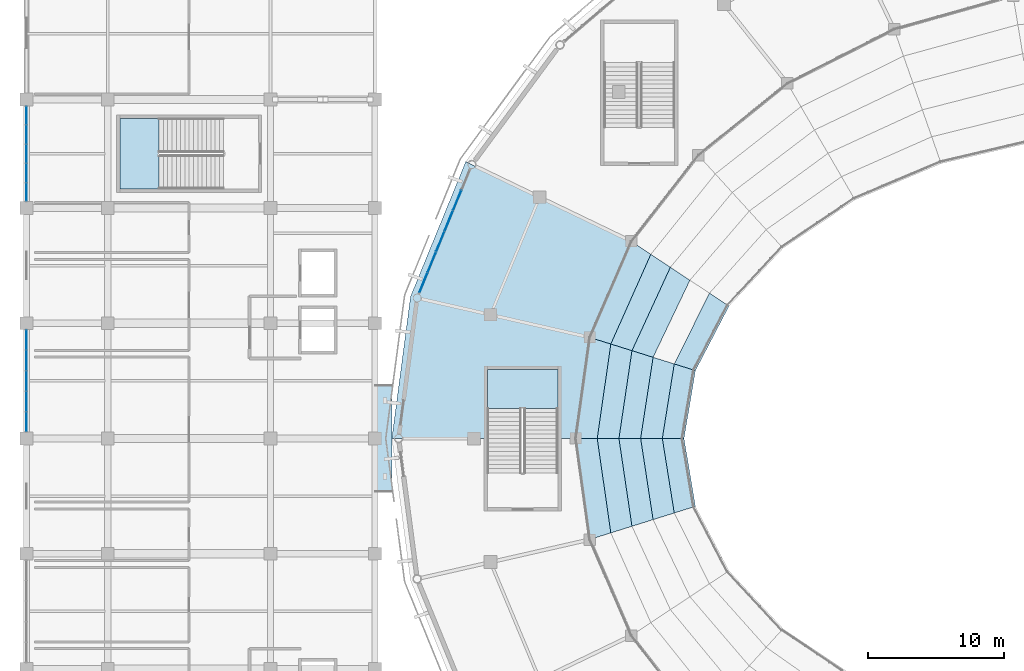
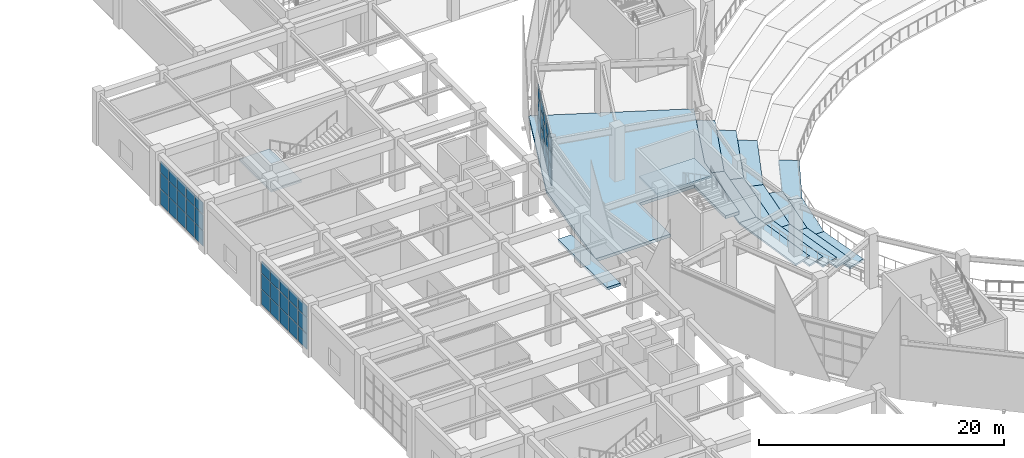
# One storey, part 62 of 120: 45 plates, 18 slabs, 5 elements without a shape of their own.
"""IFC4 building model written with IfcOpenShell, lengths in metres."""

from ifc_helpers import new_model, si_unit, direction, frame, origin, origin_2d, place, context, subcontext, project, spatial, polyline, rectangle, outline, extrude, material, layer, layer_set, type_object, element, aggregate, save


model = new_model("IFC4")

# Units and contexts
model_context = context("Model", 3, precision=1e-05, world=origin(), true_north=direction((0.0, 1.0)))
body_context = subcontext(model_context, "Body", "Model", "MODEL_VIEW")
ifc_project = project(units=[si_unit("LENGTHUNIT", "METRE"), si_unit("AREAUNIT", "SQUARE_METRE"), si_unit("VOLUMEUNIT", "CUBIC_METRE"), si_unit("PLANEANGLEUNIT", "RADIAN"), si_unit("MASSUNIT", "GRAM", prefix="KILO")], contexts=[model_context])

# Site, building, storey
site_placement = place(None, origin())
site = spatial("IfcSite", under=ifc_project, at=site_placement, CompositionType="ELEMENT")
building_placement = place(site_placement, origin())
building = spatial("IfcBuilding", under=site, at=building_placement, Name="Cuetzalor Civic Arena", CompositionType="ELEMENT")
storey_placement = place(building_placement, frame((0.0, 0.0, 6.0)))
storey = spatial("IfcBuildingStorey", under=building, at=storey_placement, Name="L01", CompositionType="ELEMENT", Elevation=6.0)

# Curtain wall, plates
ifc_material_1 = material(Name="Anodised dark bronze aluminium and low-E solar glass", Category="aluminium")
curtain_wall_type_1 = type_object("IfcCurtainWallType", Name="UnitisedCW_9850x4650", PredefinedType="USERDEFINED", material=ifc_material_1)
curtain_wall_1_placement = place(storey_placement, origin())
curtain_wall_1 = element("IfcCurtainWall", 1, at=curtain_wall_1_placement, inside=storey, type_object=curtain_wall_type_1, Name="Drum Triangle Foyer Curtain Wall L01-026", ObjectType="UNITISED CURTAIN WALL", PredefinedType="USERDEFINED")
ifc_material_2 = material(Name="Acoustic laminated solar control glass", Category="glass")
ifc_layer_1 = layer(ifc_material_2, 0.0439453125)
ifc_layer_set_1 = layer_set([ifc_layer_1], Name="Acoustic laminated solar control glass")
plate_type = type_object("IfcPlateType", Name="AcousticTripleGlazedPanel_44", PredefinedType="CURTAIN_PANEL", material=ifc_layer_set_1)
plate_1_placement = place(storey_placement, frame((-52.719482421875, 11.4873046875, 0.06982421875), z_axis=(0.0, 0.0, 1.0), x_axis=(0.379391428583, 0.925236263836, 0.0)))
plate_1 = element("IfcPlate", 2, at=plate_1_placement, type_object=plate_type, Name="CW-11 panel 1.1", PredefinedType="CURTAIN_PANEL", context=body_context, shape_type="SweptSolid", body=[
    extrude(rectangle(XDim=1.540771484375, YDim=0.0439453125, at=origin_2d()), origin(), (0.0, 0.0, 1.0), 1.570068359375),
])
plate_2_placement = place(storey_placement, frame((-52.719482421875, 11.4873046875, 1.7099609375), z_axis=(0.0, 0.0, 1.0), x_axis=(0.379391428583, 0.925236263836, 0.0)))
plate_2 = element("IfcPlate", 3, at=plate_2_placement, type_object=plate_type, Name="CW-11 panel 1.2", PredefinedType="CURTAIN_PANEL", context=body_context, shape_type="SweptSolid", body=[
    extrude(rectangle(XDim=1.540771484375, YDim=0.0439453125, at=origin_2d()), origin(), (0.0, 0.0, 1.0), 1.60498046875),
])
plate_3_placement = place(storey_placement, frame((-52.719482421875, 11.4873046875, 3.384765625), z_axis=(0.0, 0.0, 1.0), x_axis=(0.379391428583, 0.925236263836, 0.0)))
plate_3 = element("IfcPlate", 4, at=plate_3_placement, type_object=plate_type, Name="CW-11 panel 1.3", PredefinedType="CURTAIN_PANEL", context=body_context, shape_type="SweptSolid", body=[
    extrude(rectangle(XDim=1.540771484375, YDim=0.0439453125, at=origin_2d()), origin(), (0.0, 0.0, 1.0), 1.197998046875),
])
plate_4_placement = place(storey_placement, frame((-52.1015625, 12.993896484375, 0.06982421875), z_axis=(0.0, 0.0, 1.0), x_axis=(0.379391428583, 0.925236263836, 0.0)))
plate_4 = element("IfcPlate", 5, at=plate_4_placement, type_object=plate_type, Name="CW-11 panel 2.1", PredefinedType="CURTAIN_PANEL", context=body_context, shape_type="SweptSolid", body=[
    extrude(rectangle(XDim=1.57568359375, YDim=0.0439453125, at=origin_2d()), origin(), (0.0, 0.0, 1.0), 1.570068359375),
])
plate_5_placement = place(storey_placement, frame((-52.1015625, 12.993896484375, 1.7099609375), z_axis=(0.0, 0.0, 1.0), x_axis=(0.379391428583, 0.925236263836, 0.0)))
plate_5 = element("IfcPlate", 6, at=plate_5_placement, type_object=plate_type, Name="CW-11 panel 2.2", PredefinedType="CURTAIN_PANEL", context=body_context, shape_type="SweptSolid", body=[
    extrude(rectangle(XDim=1.57568359375, YDim=0.0439453125, at=origin_2d()), origin(), (0.0, 0.0, 1.0), 1.60498046875),
])
plate_6_placement = place(storey_placement, frame((-52.1015625, 12.993896484375, 3.384765625), z_axis=(0.0, 0.0, 1.0), x_axis=(0.379391428583, 0.925236263836, 0.0)))
plate_6 = element("IfcPlate", 7, at=plate_6_placement, type_object=plate_type, Name="CW-11 panel 2.3", PredefinedType="CURTAIN_PANEL", context=body_context, shape_type="SweptSolid", body=[
    extrude(rectangle(XDim=1.57568359375, YDim=0.0439453125, at=origin_2d()), origin(), (0.0, 0.0, 1.0), 1.197998046875),
])
plate_7_placement = place(storey_placement, frame((-51.477294921875, 14.516357421875, 0.06982421875), z_axis=(0.0, 0.0, 1.0), x_axis=(0.379391428583, 0.925236263836, 0.0)))
plate_7 = element("IfcPlate", 8, at=plate_7_placement, type_object=plate_type, Name="CW-11 panel 3.1", PredefinedType="CURTAIN_PANEL", context=body_context, shape_type="SweptSolid", body=[
    extrude(rectangle(XDim=1.57568359375, YDim=0.0439453125, at=origin_2d()), origin(), (0.0, 0.0, 1.0), 1.570068359375),
])
plate_8_placement = place(storey_placement, frame((-51.477294921875, 14.516357421875, 1.7099609375), z_axis=(0.0, 0.0, 1.0), x_axis=(0.379391428583, 0.925236263836, 0.0)))
plate_8 = element("IfcPlate", 9, at=plate_8_placement, type_object=plate_type, Name="CW-11 panel 3.2", PredefinedType="CURTAIN_PANEL", context=body_context, shape_type="SweptSolid", body=[
    extrude(rectangle(XDim=1.57568359375, YDim=0.0439453125, at=origin_2d()), origin(), (0.0, 0.0, 1.0), 1.60498046875),
])
plate_9_placement = place(storey_placement, frame((-51.477294921875, 14.516357421875, 3.384765625), z_axis=(0.0, 0.0, 1.0), x_axis=(0.379391428583, 0.925236263836, 0.0)))
plate_9 = element("IfcPlate", 10, at=plate_9_placement, type_object=plate_type, Name="CW-11 panel 3.3", PredefinedType="CURTAIN_PANEL", context=body_context, shape_type="SweptSolid", body=[
    extrude(rectangle(XDim=1.57568359375, YDim=0.0439453125, at=origin_2d()), origin(), (0.0, 0.0, 1.0), 1.197998046875),
])
plate_10_placement = place(storey_placement, frame((-50.85302734375, 16.0390625, 0.06982421875), z_axis=(0.0, 0.0, 1.0), x_axis=(0.379391428583, 0.925236263836, 0.0)))
plate_10 = element("IfcPlate", 11, at=plate_10_placement, type_object=plate_type, Name="CW-11 panel 4.1", PredefinedType="CURTAIN_PANEL", context=body_context, shape_type="SweptSolid", body=[
    extrude(rectangle(XDim=1.57568359375, YDim=0.0439453125, at=origin_2d()), origin(), (0.0, 0.0, 1.0), 1.570068359375),
])
plate_11_placement = place(storey_placement, frame((-50.85302734375, 16.0390625, 1.7099609375), z_axis=(0.0, 0.0, 1.0), x_axis=(0.379391428583, 0.925236263836, 0.0)))
plate_11 = element("IfcPlate", 12, at=plate_11_placement, type_object=plate_type, Name="CW-11 panel 4.2", PredefinedType="CURTAIN_PANEL", context=body_context, shape_type="SweptSolid", body=[
    extrude(rectangle(XDim=1.57568359375, YDim=0.0439453125, at=origin_2d()), origin(), (0.0, 0.0, 1.0), 1.60498046875),
])
plate_12_placement = place(storey_placement, frame((-50.85302734375, 16.0390625, 3.384765625), z_axis=(0.0, 0.0, 1.0), x_axis=(0.379391428583, 0.925236263836, 0.0)))
plate_12 = element("IfcPlate", 13, at=plate_12_placement, type_object=plate_type, Name="CW-11 panel 4.3", PredefinedType="CURTAIN_PANEL", context=body_context, shape_type="SweptSolid", body=[
    extrude(rectangle(XDim=1.57568359375, YDim=0.0439453125, at=origin_2d()), origin(), (0.0, 0.0, 1.0), 1.197998046875),
])
plate_13_placement = place(storey_placement, frame((-50.228515625, 17.561767578125, 0.06982421875), z_axis=(0.0, 0.0, 1.0), x_axis=(0.379391428583, 0.925236263836, 0.0)))
plate_13 = element("IfcPlate", 14, at=plate_13_placement, type_object=plate_type, Name="CW-11 panel 5.1", PredefinedType="CURTAIN_PANEL", context=body_context, shape_type="SweptSolid", body=[
    extrude(rectangle(XDim=1.57568359375, YDim=0.0439453125, at=origin_2d()), origin(), (0.0, 0.0, 1.0), 1.570068359375),
])
plate_14_placement = place(storey_placement, frame((-50.228515625, 17.561767578125, 1.7099609375), z_axis=(0.0, 0.0, 1.0), x_axis=(0.379391428583, 0.925236263836, 0.0)))
plate_14 = element("IfcPlate", 15, at=plate_14_placement, type_object=plate_type, Name="CW-11 panel 5.2", PredefinedType="CURTAIN_PANEL", context=body_context, shape_type="SweptSolid", body=[
    extrude(rectangle(XDim=1.57568359375, YDim=0.0439453125, at=origin_2d()), origin(), (0.0, 0.0, 1.0), 1.60498046875),
])
plate_15_placement = place(storey_placement, frame((-50.228515625, 17.561767578125, 3.384765625), z_axis=(0.0, 0.0, 1.0), x_axis=(0.379391428583, 0.925236263836, 0.0)))
plate_15 = element("IfcPlate", 16, at=plate_15_placement, type_object=plate_type, Name="CW-11 panel 5.3", PredefinedType="CURTAIN_PANEL", context=body_context, shape_type="SweptSolid", body=[
    extrude(rectangle(XDim=1.57568359375, YDim=0.0439453125, at=origin_2d()), origin(), (0.0, 0.0, 1.0), 1.197998046875),
])
aggregate(curtain_wall_1, [plate_1, plate_2, plate_3, plate_4, plate_5, plate_6, plate_7, plate_8, plate_9, plate_10, plate_11, plate_12, plate_13, plate_14, plate_15])

ifc_material_3 = material(Name="Anodised dark bronze aluminium and low-E solar glass", Category="aluminium")
curtain_wall_type_2 = type_object("IfcCurtainWallType", Name="UnitisedCW_7600x4450", PredefinedType="USERDEFINED", material=ifc_material_3)
curtain_wall_2_placement = place(storey_placement, origin())
curtain_wall_2 = element("IfcCurtainWall", 17, at=curtain_wall_2_placement, inside=storey, type_object=curtain_wall_type_2, Name="V4W Suite Viewing Curtain Wall L01-111", ObjectType="UNITISED CURTAIN WALL", PredefinedType="USERDEFINED")
plate_16_placement = place(storey_placement, frame((-82.0, 1.23193359375, 0.06494140625), z_axis=(0.0, 0.0, 1.0), x_axis=(0.0, 1.0, 0.0)))
plate_16 = element("IfcPlate", 18, at=plate_16_placement, type_object=plate_type, Name="CW-38 panel 1.1", PredefinedType="CURTAIN_PANEL", context=body_context, shape_type="SweptSolid", body=[
    extrude(rectangle(XDim=1.419677734375, YDim=0.0439453125, at=origin_2d()), origin(), (0.0, 0.0, 1.0), 1.508544921875),
])
plate_17_placement = place(storey_placement, frame((-82.0, 1.23193359375, 1.638427734375), z_axis=(0.0, 0.0, 1.0), x_axis=(0.0, 1.0, 0.0)))
plate_17 = element("IfcPlate", 19, at=plate_17_placement, type_object=plate_type, Name="CW-38 panel 1.2", PredefinedType="CURTAIN_PANEL", context=body_context, shape_type="SweptSolid", body=[
    extrude(rectangle(XDim=1.419677734375, YDim=0.0439453125, at=origin_2d()), origin(), (0.0, 0.0, 1.0), 1.5400390625),
])
plate_18_placement = place(storey_placement, frame((-82.0, 1.23193359375, 3.24365234375), z_axis=(0.0, 0.0, 1.0), x_axis=(0.0, 1.0, 0.0)))
plate_18 = element("IfcPlate", 20, at=plate_18_placement, type_object=plate_type, Name="CW-38 panel 1.3", PredefinedType="CURTAIN_PANEL", context=body_context, shape_type="SweptSolid", body=[
    extrude(rectangle(XDim=1.419677734375, YDim=0.0439453125, at=origin_2d()), origin(), (0.0, 0.0, 1.0), 1.151611328125),
])
plate_19_placement = place(storey_placement, frame((-82.0, 2.73291015625, 0.06494140625), z_axis=(0.0, 0.0, 1.0), x_axis=(0.0, 1.0, 0.0)))
plate_19 = element("IfcPlate", 21, at=plate_19_placement, type_object=plate_type, Name="CW-38 panel 2.1", PredefinedType="CURTAIN_PANEL", context=body_context, shape_type="SweptSolid", body=[
    extrude(rectangle(XDim=1.4521484375, YDim=0.0439453125, at=origin_2d()), origin(), (0.0, 0.0, 1.0), 1.508544921875),
])
plate_20_placement = place(storey_placement, frame((-82.0, 2.73291015625, 1.638427734375), z_axis=(0.0, 0.0, 1.0), x_axis=(0.0, 1.0, 0.0)))
plate_20 = element("IfcPlate", 22, at=plate_20_placement, type_object=plate_type, Name="CW-38 panel 2.2", PredefinedType="CURTAIN_PANEL", context=body_context, shape_type="SweptSolid", body=[
    extrude(rectangle(XDim=1.4521484375, YDim=0.0439453125, at=origin_2d()), origin(), (0.0, 0.0, 1.0), 1.5400390625),
])
plate_21_placement = place(storey_placement, frame((-82.0, 2.73291015625, 3.24365234375), z_axis=(0.0, 0.0, 1.0), x_axis=(0.0, 1.0, 0.0)))
plate_21 = element("IfcPlate", 23, at=plate_21_placement, type_object=plate_type, Name="CW-38 panel 2.3", PredefinedType="CURTAIN_PANEL", context=body_context, shape_type="SweptSolid", body=[
    extrude(rectangle(XDim=1.4521484375, YDim=0.0439453125, at=origin_2d()), origin(), (0.0, 0.0, 1.0), 1.151611328125),
])
plate_22_placement = place(storey_placement, frame((-82.0, 4.25, 0.06494140625), z_axis=(0.0, 0.0, 1.0), x_axis=(0.0, 1.0, 0.0)))
plate_22 = element("IfcPlate", 24, at=plate_22_placement, type_object=plate_type, Name="CW-38 panel 3.1", PredefinedType="CURTAIN_PANEL", context=body_context, shape_type="SweptSolid", body=[
    extrude(rectangle(XDim=1.4521484375, YDim=0.0439453125, at=origin_2d()), origin(), (0.0, 0.0, 1.0), 1.508544921875),
])
plate_23_placement = place(storey_placement, frame((-82.0, 4.25, 1.638427734375), z_axis=(0.0, 0.0, 1.0), x_axis=(0.0, 1.0, 0.0)))
plate_23 = element("IfcPlate", 25, at=plate_23_placement, type_object=plate_type, Name="CW-38 panel 3.2", PredefinedType="CURTAIN_PANEL", context=body_context, shape_type="SweptSolid", body=[
    extrude(rectangle(XDim=1.4521484375, YDim=0.0439453125, at=origin_2d()), origin(), (0.0, 0.0, 1.0), 1.5400390625),
])
plate_24_placement = place(storey_placement, frame((-82.0, 4.25, 3.24365234375), z_axis=(0.0, 0.0, 1.0), x_axis=(0.0, 1.0, 0.0)))
plate_24 = element("IfcPlate", 26, at=plate_24_placement, type_object=plate_type, Name="CW-38 panel 3.3", PredefinedType="CURTAIN_PANEL", context=body_context, shape_type="SweptSolid", body=[
    extrude(rectangle(XDim=1.4521484375, YDim=0.0439453125, at=origin_2d()), origin(), (0.0, 0.0, 1.0), 1.151611328125),
])
plate_25_placement = place(storey_placement, frame((-82.0, 5.76708984375, 0.06494140625), z_axis=(0.0, 0.0, 1.0), x_axis=(0.0, 1.0, 0.0)))
plate_25 = element("IfcPlate", 27, at=plate_25_placement, type_object=plate_type, Name="CW-38 panel 4.1", PredefinedType="CURTAIN_PANEL", context=body_context, shape_type="SweptSolid", body=[
    extrude(rectangle(XDim=1.4521484375, YDim=0.0439453125, at=origin_2d()), origin(), (0.0, 0.0, 1.0), 1.508544921875),
])
plate_26_placement = place(storey_placement, frame((-82.0, 5.76708984375, 1.638427734375), z_axis=(0.0, 0.0, 1.0), x_axis=(0.0, 1.0, 0.0)))
plate_26 = element("IfcPlate", 28, at=plate_26_placement, type_object=plate_type, Name="CW-38 panel 4.2", PredefinedType="CURTAIN_PANEL", context=body_context, shape_type="SweptSolid", body=[
    extrude(rectangle(XDim=1.4521484375, YDim=0.0439453125, at=origin_2d()), origin(), (0.0, 0.0, 1.0), 1.5400390625),
])
plate_27_placement = place(storey_placement, frame((-82.0, 5.76708984375, 3.24365234375), z_axis=(0.0, 0.0, 1.0), x_axis=(0.0, 1.0, 0.0)))
plate_27 = element("IfcPlate", 29, at=plate_27_placement, type_object=plate_type, Name="CW-38 panel 4.3", PredefinedType="CURTAIN_PANEL", context=body_context, shape_type="SweptSolid", body=[
    extrude(rectangle(XDim=1.4521484375, YDim=0.0439453125, at=origin_2d()), origin(), (0.0, 0.0, 1.0), 1.151611328125),
])
plate_28_placement = place(storey_placement, frame((-82.0, 7.26806640625, 0.06494140625), z_axis=(0.0, 0.0, 1.0), x_axis=(0.0, 1.0, 0.0)))
plate_28 = element("IfcPlate", 30, at=plate_28_placement, type_object=plate_type, Name="CW-38 panel 5.1", PredefinedType="CURTAIN_PANEL", context=body_context, shape_type="SweptSolid", body=[
    extrude(rectangle(XDim=1.419677734375, YDim=0.0439453125, at=origin_2d()), origin(), (0.0, 0.0, 1.0), 1.508544921875),
])
plate_29_placement = place(storey_placement, frame((-82.0, 7.26806640625, 1.638427734375), z_axis=(0.0, 0.0, 1.0), x_axis=(0.0, 1.0, 0.0)))
plate_29 = element("IfcPlate", 31, at=plate_29_placement, type_object=plate_type, Name="CW-38 panel 5.2", PredefinedType="CURTAIN_PANEL", context=body_context, shape_type="SweptSolid", body=[
    extrude(rectangle(XDim=1.419677734375, YDim=0.0439453125, at=origin_2d()), origin(), (0.0, 0.0, 1.0), 1.5400390625),
])
plate_30_placement = place(storey_placement, frame((-82.0, 7.26806640625, 3.24365234375), z_axis=(0.0, 0.0, 1.0), x_axis=(0.0, 1.0, 0.0)))
plate_30 = element("IfcPlate", 32, at=plate_30_placement, type_object=plate_type, Name="CW-38 panel 5.3", PredefinedType="CURTAIN_PANEL", context=body_context, shape_type="SweptSolid", body=[
    extrude(rectangle(XDim=1.419677734375, YDim=0.0439453125, at=origin_2d()), origin(), (0.0, 0.0, 1.0), 1.151611328125),
])
aggregate(curtain_wall_2, [plate_16, plate_17, plate_18, plate_19, plate_20, plate_21, plate_22, plate_23, plate_24, plate_25, plate_26, plate_27, plate_28, plate_29, plate_30])

ifc_material_4 = material(Name="Anodised dark bronze aluminium and low-E solar glass", Category="aluminium")
curtain_wall_type_3 = type_object("IfcCurtainWallType", Name="UnitisedCW_7100x4450", PredefinedType="USERDEFINED", material=ifc_material_4)
curtain_wall_3_placement = place(storey_placement, origin())
curtain_wall_3 = element("IfcCurtainWall", 33, at=curtain_wall_3_placement, inside=storey, type_object=curtain_wall_type_3, Name="V4W Suite Viewing Curtain Wall L01-112", ObjectType="UNITISED CURTAIN WALL", PredefinedType="USERDEFINED")
plate_31_placement = place(storey_placement, frame((-82.0, 18.181884765625, 0.06494140625), z_axis=(0.0, 0.0, 1.0), x_axis=(0.0, 1.0, 0.0)))
plate_31 = element("IfcPlate", 34, at=plate_31_placement, type_object=plate_type, Name="CW-39 panel 1.1", PredefinedType="CURTAIN_PANEL", context=body_context, shape_type="SweptSolid", body=[
    extrude(rectangle(XDim=1.319580078125, YDim=0.0439453125, at=origin_2d()), origin(), (0.0, 0.0, 1.0), 1.508544921875),
])
plate_32_placement = place(storey_placement, frame((-82.0, 18.181884765625, 1.638427734375), z_axis=(0.0, 0.0, 1.0), x_axis=(0.0, 1.0, 0.0)))
plate_32 = element("IfcPlate", 35, at=plate_32_placement, type_object=plate_type, Name="CW-39 panel 1.2", PredefinedType="CURTAIN_PANEL", context=body_context, shape_type="SweptSolid", body=[
    extrude(rectangle(XDim=1.319580078125, YDim=0.0439453125, at=origin_2d()), origin(), (0.0, 0.0, 1.0), 1.5400390625),
])
plate_33_placement = place(storey_placement, frame((-82.0, 18.181884765625, 3.24365234375), z_axis=(0.0, 0.0, 1.0), x_axis=(0.0, 1.0, 0.0)))
plate_33 = element("IfcPlate", 36, at=plate_33_placement, type_object=plate_type, Name="CW-39 panel 1.3", PredefinedType="CURTAIN_PANEL", context=body_context, shape_type="SweptSolid", body=[
    extrude(rectangle(XDim=1.319580078125, YDim=0.0439453125, at=origin_2d()), origin(), (0.0, 0.0, 1.0), 1.151611328125),
])
plate_34_placement = place(storey_placement, frame((-82.0, 19.582763671875, 0.06494140625), z_axis=(0.0, 0.0, 1.0), x_axis=(0.0, 1.0, 0.0)))
plate_34 = element("IfcPlate", 37, at=plate_34_placement, type_object=plate_type, Name="CW-39 panel 2.1", PredefinedType="CURTAIN_PANEL", context=body_context, shape_type="SweptSolid", body=[
    extrude(rectangle(XDim=1.352294921875, YDim=0.0439453125, at=origin_2d()), origin(), (0.0, 0.0, 1.0), 1.508544921875),
])
plate_35_placement = place(storey_placement, frame((-82.0, 19.582763671875, 1.638427734375), z_axis=(0.0, 0.0, 1.0), x_axis=(0.0, 1.0, 0.0)))
plate_35 = element("IfcPlate", 38, at=plate_35_placement, type_object=plate_type, Name="CW-39 panel 2.2", PredefinedType="CURTAIN_PANEL", context=body_context, shape_type="SweptSolid", body=[
    extrude(rectangle(XDim=1.352294921875, YDim=0.0439453125, at=origin_2d()), origin(), (0.0, 0.0, 1.0), 1.5400390625),
])
plate_36_placement = place(storey_placement, frame((-82.0, 19.582763671875, 3.24365234375), z_axis=(0.0, 0.0, 1.0), x_axis=(0.0, 1.0, 0.0)))
plate_36 = element("IfcPlate", 39, at=plate_36_placement, type_object=plate_type, Name="CW-39 panel 2.3", PredefinedType="CURTAIN_PANEL", context=body_context, shape_type="SweptSolid", body=[
    extrude(rectangle(XDim=1.352294921875, YDim=0.0439453125, at=origin_2d()), origin(), (0.0, 0.0, 1.0), 1.151611328125),
])
plate_37_placement = place(storey_placement, frame((-82.0, 21.0, 0.06494140625), z_axis=(0.0, 0.0, 1.0), x_axis=(0.0, 1.0, 0.0)))
plate_37 = element("IfcPlate", 40, at=plate_37_placement, type_object=plate_type, Name="CW-39 panel 3.1", PredefinedType="CURTAIN_PANEL", context=body_context, shape_type="SweptSolid", body=[
    extrude(rectangle(XDim=1.352294921875, YDim=0.0439453125, at=origin_2d()), origin(), (0.0, 0.0, 1.0), 1.508544921875),
])
plate_38_placement = place(storey_placement, frame((-82.0, 21.0, 1.638427734375), z_axis=(0.0, 0.0, 1.0), x_axis=(0.0, 1.0, 0.0)))
plate_38 = element("IfcPlate", 41, at=plate_38_placement, type_object=plate_type, Name="CW-39 panel 3.2", PredefinedType="CURTAIN_PANEL", context=body_context, shape_type="SweptSolid", body=[
    extrude(rectangle(XDim=1.352294921875, YDim=0.0439453125, at=origin_2d()), origin(), (0.0, 0.0, 1.0), 1.5400390625),
])
plate_39_placement = place(storey_placement, frame((-82.0, 21.0, 3.24365234375), z_axis=(0.0, 0.0, 1.0), x_axis=(0.0, 1.0, 0.0)))
plate_39 = element("IfcPlate", 42, at=plate_39_placement, type_object=plate_type, Name="CW-39 panel 3.3", PredefinedType="CURTAIN_PANEL", context=body_context, shape_type="SweptSolid", body=[
    extrude(rectangle(XDim=1.352294921875, YDim=0.0439453125, at=origin_2d()), origin(), (0.0, 0.0, 1.0), 1.151611328125),
])
plate_40_placement = place(storey_placement, frame((-82.0, 22.417236328125, 0.06494140625), z_axis=(0.0, 0.0, 1.0), x_axis=(0.0, 1.0, 0.0)))
plate_40 = element("IfcPlate", 43, at=plate_40_placement, type_object=plate_type, Name="CW-39 panel 4.1", PredefinedType="CURTAIN_PANEL", context=body_context, shape_type="SweptSolid", body=[
    extrude(rectangle(XDim=1.352294921875, YDim=0.0439453125, at=origin_2d()), origin(), (0.0, 0.0, 1.0), 1.508544921875),
])
plate_41_placement = place(storey_placement, frame((-82.0, 22.417236328125, 1.638427734375), z_axis=(0.0, 0.0, 1.0), x_axis=(0.0, 1.0, 0.0)))
plate_41 = element("IfcPlate", 44, at=plate_41_placement, type_object=plate_type, Name="CW-39 panel 4.2", PredefinedType="CURTAIN_PANEL", context=body_context, shape_type="SweptSolid", body=[
    extrude(rectangle(XDim=1.352294921875, YDim=0.0439453125, at=origin_2d()), origin(), (0.0, 0.0, 1.0), 1.5400390625),
])
plate_42_placement = place(storey_placement, frame((-82.0, 22.417236328125, 3.24365234375), z_axis=(0.0, 0.0, 1.0), x_axis=(0.0, 1.0, 0.0)))
plate_42 = element("IfcPlate", 45, at=plate_42_placement, type_object=plate_type, Name="CW-39 panel 4.3", PredefinedType="CURTAIN_PANEL", context=body_context, shape_type="SweptSolid", body=[
    extrude(rectangle(XDim=1.352294921875, YDim=0.0439453125, at=origin_2d()), origin(), (0.0, 0.0, 1.0), 1.151611328125),
])
plate_43_placement = place(storey_placement, frame((-82.0, 23.818115234375, 0.06494140625), z_axis=(0.0, 0.0, 1.0), x_axis=(0.0, 1.0, 0.0)))
plate_43 = element("IfcPlate", 46, at=plate_43_placement, type_object=plate_type, Name="CW-39 panel 5.1", PredefinedType="CURTAIN_PANEL", context=body_context, shape_type="SweptSolid", body=[
    extrude(rectangle(XDim=1.319580078125, YDim=0.0439453125, at=origin_2d()), origin(), (0.0, 0.0, 1.0), 1.508544921875),
])
plate_44_placement = place(storey_placement, frame((-82.0, 23.818115234375, 1.638427734375), z_axis=(0.0, 0.0, 1.0), x_axis=(0.0, 1.0, 0.0)))
plate_44 = element("IfcPlate", 47, at=plate_44_placement, type_object=plate_type, Name="CW-39 panel 5.2", PredefinedType="CURTAIN_PANEL", context=body_context, shape_type="SweptSolid", body=[
    extrude(rectangle(XDim=1.319580078125, YDim=0.0439453125, at=origin_2d()), origin(), (0.0, 0.0, 1.0), 1.5400390625),
])
plate_45_placement = place(storey_placement, frame((-82.0, 23.818115234375, 3.24365234375), z_axis=(0.0, 0.0, 1.0), x_axis=(0.0, 1.0, 0.0)))
plate_45 = element("IfcPlate", 48, at=plate_45_placement, type_object=plate_type, Name="CW-39 panel 5.3", PredefinedType="CURTAIN_PANEL", context=body_context, shape_type="SweptSolid", body=[
    extrude(rectangle(XDim=1.319580078125, YDim=0.0439453125, at=origin_2d()), origin(), (0.0, 0.0, 1.0), 1.151611328125),
])
aggregate(curtain_wall_3, [plate_31, plate_32, plate_33, plate_34, plate_35, plate_36, plate_37, plate_38, plate_39, plate_40, plate_41, plate_42, plate_43, plate_44, plate_45])

# Slabs
ifc_material_5 = material(Name="Concrete C40/50", Category="concrete")
ifc_layer_2 = layer(ifc_material_5, 0.260009765625)
ifc_layer_set_2 = layer_set([ifc_layer_2], Name="Concrete C40/50")
slab_type_1 = type_object("IfcSlabType", Name="BridgeDeckSlab_260", PredefinedType="FLOOR", material=ifc_layer_set_2)
slab_1_placement = place(storey_placement, frame((0.0, 0.0, -0.260009765625)))
element("IfcSlab", 49, at=slab_1_placement, inside=storey, type_object=slab_type_1, Name="Seismic Joint Circulation Bridge V4W L01", PredefinedType="FLOOR", context=body_context, shape_type="SweptSolid", body=[
    extrude(outline(polyline([(-56.320068359375, -4.0), (-55.030029296875, -4.0), (-55.030029296875, 4.0), (-56.320068359375, 4.0), (-56.320068359375, -4.0)])), origin(), (0.0, 0.0, 1.0), 0.260009765625),
])
ifc_material_6 = material(Name="Concrete C35/45", Category="concrete")
ifc_layer_3 = layer(ifc_material_6, 0.300048828125)
ifc_layer_set_3 = layer_set([ifc_layer_3], Name="Concrete C35/45")
slab_type_2 = type_object("IfcSlabType", Name="ConcourseFloorSlab_300", PredefinedType="FLOOR", material=ifc_layer_set_3)
slab_2_placement = place(storey_placement, frame((0.0, 0.0, -0.300048828125)))
element("IfcSlab", 50, at=slab_2_placement, inside=storey, type_object=slab_type_2, Name="Arena Concourse Sector Slab L01-07", PredefinedType="FLOOR", context=body_context, shape_type="SweptSolid", body=[
    extrude(outline(polyline([(-40.45947265625, 7.45458984375), (-41.5, 0.0), (-42.800048828125, 0.0), (-42.800048828125, 5.10009765625), (-48.0, 5.10009765625), (-48.0, 0.0), (-55.050048828125, 0.0), (-53.669921875, 10.469482421875), (-49.598388671875, 20.414306640625), (-37.39013671875, 14.53515625), (-40.45947265625, 7.45458984375)])), origin(), (0.0, 0.0, 1.0), 0.300048828125),
])
ifc_material_7 = material(Name="Precast concrete C45/55", Category="concrete")
ifc_layer_4 = layer(ifc_material_7, 0.179931640625)
ifc_layer_set_4 = layer_set([ifc_layer_4], Name="Precast concrete C45/55")
slab_type_3 = type_object("IfcSlabType", Name="LowerBowlSeatingTier_180", PredefinedType="USERDEFINED", material=ifc_layer_set_4)
slab_3_placement = place(storey_placement, frame((0.0, 0.0, -4.97998046875)))
element("IfcSlab", 51, at=slab_3_placement, inside=storey, type_object=slab_type_3, Name="Stand Lower Tier Bay 13 Row 1", ObjectType="SEATING TIER", PredefinedType="USERDEFINED", context=body_context, shape_type="SweptSolid", body=[
    extrude(outline(polyline([(-30.1826171875, 9.762451171875), (-32.66015625, 5.006591796875), (-34.219970703125, 5.496337890625), (-31.6240234375, 10.716796875), (-30.1826171875, 9.762451171875)])), origin(), (0.0, 0.0, 1.0), 0.179931640625),
])
slab_4_placement = place(storey_placement, frame((0.0, 0.0, -3.139892578125)))
element("IfcSlab", 52, at=slab_4_placement, inside=storey, type_object=slab_type_3, Name="Stand Lower Tier Bay 13 Row 3", ObjectType="SEATING TIER", PredefinedType="USERDEFINED", context=body_context, shape_type="SweptSolid", body=[
    extrude(outline(polyline([(-33.065673828125, 11.67138671875), (-35.77978515625, 5.98583984375), (-37.339599609375, 6.475341796875), (-34.507080078125, 12.6259765625), (-33.065673828125, 11.67138671875)])), origin(), (0.0, 0.0, 1.0), 0.179931640625),
])
slab_5_placement = place(storey_placement, frame((0.0, 0.0, -2.219970703125)))
element("IfcSlab", 53, at=slab_5_placement, inside=storey, type_object=slab_type_3, Name="Stand Lower Tier Bay 13 Row 4", ObjectType="SEATING TIER", PredefinedType="USERDEFINED", context=body_context, shape_type="SweptSolid", body=[
    extrude(outline(polyline([(-34.507080078125, 12.6259765625), (-37.339599609375, 6.475341796875), (-38.899658203125, 6.96484375), (-35.94873046875, 13.58056640625), (-34.507080078125, 12.6259765625)])), origin(), (0.0, 0.0, 1.0), 0.179931640625),
])
slab_6_placement = place(storey_placement, frame((0.0, 0.0, -1.300048828125)))
element("IfcSlab", 54, at=slab_6_placement, inside=storey, type_object=slab_type_3, Name="Stand Lower Tier Bay 13 Row 5", ObjectType="SEATING TIER", PredefinedType="USERDEFINED", context=body_context, shape_type="SweptSolid", body=[
    extrude(outline(polyline([(-35.94873046875, 13.58056640625), (-38.899658203125, 6.96484375), (-40.45947265625, 7.45458984375), (-37.39013671875, 14.53515625), (-35.94873046875, 13.58056640625)])), origin(), (0.0, 0.0, 1.0), 0.179931640625),
])
slab_7_placement = place(storey_placement, frame((0.0, 0.0, -4.97998046875)))
element("IfcSlab", 55, at=slab_7_placement, inside=storey, type_object=slab_type_3, Name="Stand Lower Tier Bay 14 Row 1", ObjectType="SEATING TIER", PredefinedType="USERDEFINED", context=body_context, shape_type="SweptSolid", body=[
    extrude(outline(polyline([(-32.66015625, 5.006591796875), (-33.5, 0.0), (-35.10009765625, 0.0), (-34.219970703125, 5.496337890625), (-32.66015625, 5.006591796875)])), origin(), (0.0, 0.0, 1.0), 0.179931640625),
])
slab_8_placement = place(storey_placement, frame((0.0, 0.0, -4.06005859375)))
element("IfcSlab", 56, at=slab_8_placement, inside=storey, type_object=slab_type_3, Name="Stand Lower Tier Bay 14 Row 2", ObjectType="SEATING TIER", PredefinedType="USERDEFINED", context=body_context, shape_type="SweptSolid", body=[
    extrude(outline(polyline([(-34.219970703125, 5.496337890625), (-35.10009765625, 0.0), (-36.699951171875, 0.0), (-35.77978515625, 5.98583984375), (-34.219970703125, 5.496337890625)])), origin(), (0.0, 0.0, 1.0), 0.18017578125),
])
slab_9_placement = place(storey_placement, frame((0.0, 0.0, -3.139892578125)))
element("IfcSlab", 57, at=slab_9_placement, inside=storey, type_object=slab_type_3, Name="Stand Lower Tier Bay 14 Row 3", ObjectType="SEATING TIER", PredefinedType="USERDEFINED", context=body_context, shape_type="SweptSolid", body=[
    extrude(outline(polyline([(-35.77978515625, 5.98583984375), (-36.699951171875, 0.0), (-38.300048828125, 0.0), (-37.339599609375, 6.475341796875), (-35.77978515625, 5.98583984375)])), origin(), (0.0, 0.0, 1.0), 0.179931640625),
])
slab_10_placement = place(storey_placement, frame((0.0, 0.0, -2.219970703125)))
element("IfcSlab", 58, at=slab_10_placement, inside=storey, type_object=slab_type_3, Name="Stand Lower Tier Bay 14 Row 4", ObjectType="SEATING TIER", PredefinedType="USERDEFINED", context=body_context, shape_type="SweptSolid", body=[
    extrude(outline(polyline([(-37.339599609375, 6.475341796875), (-38.300048828125, 0.0), (-39.89990234375, 0.0), (-38.899658203125, 6.96484375), (-37.339599609375, 6.475341796875)])), origin(), (0.0, 0.0, 1.0), 0.179931640625),
])
slab_11_placement = place(storey_placement, frame((0.0, 0.0, -1.300048828125)))
element("IfcSlab", 59, at=slab_11_placement, inside=storey, type_object=slab_type_3, Name="Stand Lower Tier Bay 14 Row 5", ObjectType="SEATING TIER", PredefinedType="USERDEFINED", context=body_context, shape_type="SweptSolid", body=[
    extrude(outline(polyline([(-38.899658203125, 6.96484375), (-39.89990234375, 0.0), (-41.5, 0.0), (-40.45947265625, 7.45458984375), (-38.899658203125, 6.96484375)])), origin(), (0.0, 0.0, 1.0), 0.179931640625),
])
slab_12_placement = place(storey_placement, frame((0.0, 0.0, -4.97998046875)))
element("IfcSlab", 60, at=slab_12_placement, inside=storey, type_object=slab_type_3, Name="Stand Lower Tier Bay 15 Row 1", ObjectType="SEATING TIER", PredefinedType="USERDEFINED", context=body_context, shape_type="SweptSolid", body=[
    extrude(outline(polyline([(-33.5, 0.0), (-32.66015625, -5.006591796875), (-34.219970703125, -5.496337890625), (-35.10009765625, 0.0), (-33.5, 0.0)])), origin(), (0.0, 0.0, 1.0), 0.179931640625),
])
slab_13_placement = place(storey_placement, frame((0.0, 0.0, -4.06005859375)))
element("IfcSlab", 61, at=slab_13_placement, inside=storey, type_object=slab_type_3, Name="Stand Lower Tier Bay 15 Row 2", ObjectType="SEATING TIER", PredefinedType="USERDEFINED", context=body_context, shape_type="SweptSolid", body=[
    extrude(outline(polyline([(-35.10009765625, 0.0), (-34.219970703125, -5.496337890625), (-35.77978515625, -5.98583984375), (-36.699951171875, 0.0), (-35.10009765625, 0.0)])), origin(), (0.0, 0.0, 1.0), 0.18017578125),
])
slab_14_placement = place(storey_placement, frame((0.0, 0.0, -3.139892578125)))
element("IfcSlab", 62, at=slab_14_placement, inside=storey, type_object=slab_type_3, Name="Stand Lower Tier Bay 15 Row 3", ObjectType="SEATING TIER", PredefinedType="USERDEFINED", context=body_context, shape_type="SweptSolid", body=[
    extrude(outline(polyline([(-36.699951171875, 0.0), (-35.77978515625, -5.98583984375), (-37.339599609375, -6.475341796875), (-38.300048828125, 0.0), (-36.699951171875, 0.0)])), origin(), (0.0, 0.0, 1.0), 0.179931640625),
])
slab_15_placement = place(storey_placement, frame((0.0, 0.0, -2.219970703125)))
element("IfcSlab", 63, at=slab_15_placement, inside=storey, type_object=slab_type_3, Name="Stand Lower Tier Bay 15 Row 4", ObjectType="SEATING TIER", PredefinedType="USERDEFINED", context=body_context, shape_type="SweptSolid", body=[
    extrude(outline(polyline([(-38.300048828125, 0.0), (-37.339599609375, -6.475341796875), (-38.899658203125, -6.96484375), (-39.89990234375, 0.0), (-38.300048828125, 0.0)])), origin(), (0.0, 0.0, 1.0), 0.179931640625),
])
slab_16_placement = place(storey_placement, frame((0.0, 0.0, -1.300048828125)))
element("IfcSlab", 64, at=slab_16_placement, inside=storey, type_object=slab_type_3, Name="Stand Lower Tier Bay 15 Row 5", ObjectType="SEATING TIER", PredefinedType="USERDEFINED", context=body_context, shape_type="SweptSolid", body=[
    extrude(outline(polyline([(-39.89990234375, 0.0), (-38.899658203125, -6.96484375), (-40.45947265625, -7.45458984375), (-41.5, 0.0), (-39.89990234375, 0.0)])), origin(), (0.0, 0.0, 1.0), 0.179931640625),
])

# Stair, slab
ifc_material_8 = material(Name="Precast concrete C40/50", Category="concrete")
stair_type = type_object("IfcStairType", Name="EnclosedExitStair_H540", PredefinedType="HALF_TURN_STAIR", material=ifc_material_8)
stair_1_placement = place(storey_placement, origin())
stair_1 = element("IfcStair", 65, at=stair_1_placement, inside=storey, type_object=stair_type, Name="L01 Enclosed Exit Stair ST-05", PredefinedType="HALF_TURN_STAIR")
ifc_material_9 = material(Name="Concrete C40/50", Category="concrete")
ifc_layer_5 = layer(ifc_material_9, 0.199951171875)
ifc_layer_set_5 = layer_set([ifc_layer_5], Name="Concrete C40/50")
slab_type_4 = type_object("IfcSlabType", Name="StairHalfLandingSlab_200", PredefinedType="LANDING", material=ifc_layer_set_5)
slab_17_placement = place(storey_placement, frame((0.0, 0.0, 2.5)))
slab_17 = element("IfcSlab", 66, at=slab_17_placement, type_object=slab_type_4, Name="ST-05 landing 1", PredefinedType="LANDING", context=body_context, shape_type="SweptSolid", body=[
    extrude(outline(polyline([(-42.800048828125, 2.219970703125), (-42.800048828125, 5.10009765625), (-48.0, 5.10009765625), (-48.0, 2.219970703125), (-42.800048828125, 2.219970703125)])), origin(), (0.0, 0.0, 1.0), 0.199951171875),
])
aggregate(stair_1, [slab_17])

stair_2_placement = place(storey_placement, origin())
stair_2 = element("IfcStair", 67, at=stair_2_placement, inside=storey, type_object=stair_type, Name="L01 Enclosed Exit Stair ST-17", PredefinedType="HALF_TURN_STAIR")
slab_18_placement = place(storey_placement, frame((0.0, 0.0, 2.5)))
slab_18 = element("IfcSlab", 68, at=slab_18_placement, type_object=slab_type_4, Name="ST-17 landing 1", PredefinedType="LANDING", context=body_context, shape_type="SweptSolid", body=[
    extrude(outline(polyline([(-72.219970703125, 23.60009765625), (-75.10009765625, 23.60009765625), (-75.10009765625, 18.39990234375), (-72.219970703125, 18.39990234375), (-72.219970703125, 23.60009765625)])), origin(), (0.0, 0.0, 1.0), 0.199951171875),
])
aggregate(stair_2, [slab_18])

save(model, "model.ifc")
